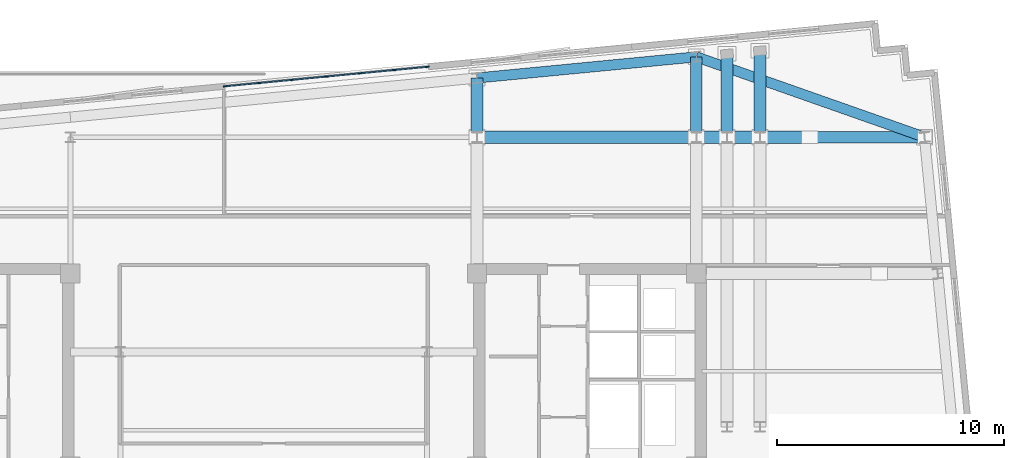
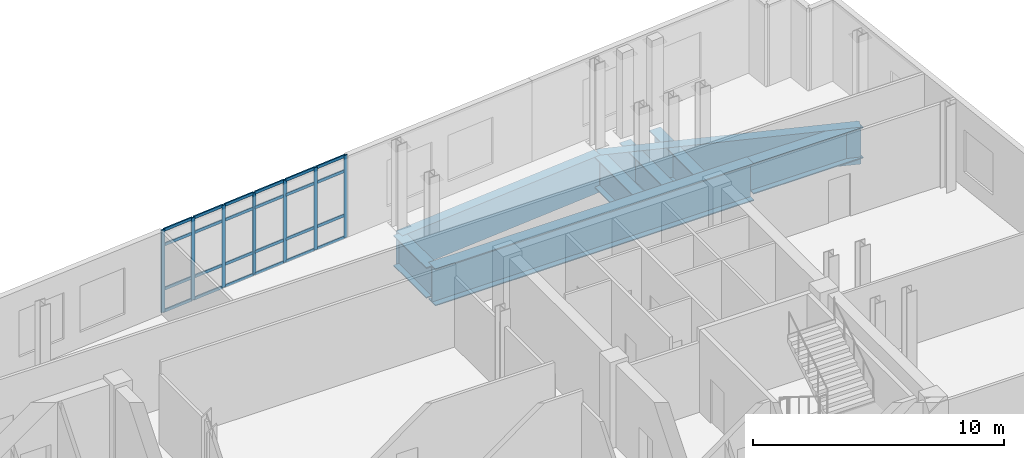
# One storey, part 3 of 11: 31 members, 8 beams, 1 element without a shape of its own.
"""IFC4 building model written with IfcOpenShell, lengths in metres."""

from ifc_helpers import new_model, si_unit, direction, frame, origin, origin_2d, place, context, subcontext, project, spatial, rectangle, i_section, extrude, material, layer, layer_set, material_profile, profile_set, type_object, element, aggregate, save


model = new_model("IFC4")

# Units and contexts
model_context = context("Model", 3, precision=1e-05, world=origin(), true_north=direction((0.0, 1.0)))
body_context = subcontext(model_context, "Body", "Model", "MODEL_VIEW")
ifc_project = project(units=[si_unit("LENGTHUNIT", "METRE"), si_unit("AREAUNIT", "SQUARE_METRE"), si_unit("VOLUMEUNIT", "CUBIC_METRE"), si_unit("PLANEANGLEUNIT", "RADIAN"), si_unit("MASSUNIT", "GRAM", prefix="KILO")], contexts=[model_context])

# Site, building, storey
site_placement = place(None, origin())
site = spatial("IfcSite", under=ifc_project, at=site_placement, CompositionType="ELEMENT")
building_placement = place(site_placement, origin())
building = spatial("IfcBuilding", under=site, at=building_placement, Name="Velakula Bourse", CompositionType="ELEMENT")
storey_placement = place(building_placement, frame((0.0, 0.0, 247.5)))
storey = spatial("IfcBuildingStorey", under=building, at=storey_placement, Name="L67", CompositionType="ELEMENT", Elevation=247.5)

# Curtain wall, members
ifc_material_1 = material(Name="Anodised bronze architectural aluminium", Category="aluminium")
ifc_layer = layer(ifc_material_1, 0.1650390625, Name="Anodised bronze architectural aluminium", Category="aluminium")
ifc_layer_set = layer_set([ifc_layer], Name="Anodised bronze architectural aluminium")
curtain_wall_type = type_object("IfcCurtainWallType", Name="CW-SL1", PredefinedType="NOTDEFINED", material=ifc_layer_set)
curtain_wall_placement = place(storey_placement, origin())
curtain_wall = element("IfcCurtainWall", 1, at=curtain_wall_placement, inside=storey, type_object=curtain_wall_type, Name="L67 Sky-Lobby Feature Curtain Wall", PredefinedType="NOTDEFINED")
ifc_material_profile_1 = material_profile(ifc_material_1, rectangle(XDim=0.06005859375, YDim=0.1650390625, at=origin_2d()), Name="Anodised bronze architectural aluminium")
ifc_profile_set_1 = profile_set([ifc_material_profile_1], Name="Anodised bronze architectural aluminium")
member_type_1 = type_object("IfcMemberType", Name="MUL-CW-SL1", PredefinedType="MULLION", material=ifc_profile_set_1)
member_1_placement = place(storey_placement, frame((-2.131591796875, 16.8408203125, 0.0), z_axis=(0.0, 0.0, 1.0), x_axis=(-0.095844093769, 0.995396358085, 0.0)))
member_1 = element("IfcMember", 2, at=member_1_placement, type_object=member_type_1, Name="CW-SL1 mullion 1", PredefinedType="MULLION", context=body_context, shape_type="SweptSolid", body=[
    extrude(rectangle(XDim=0.06005859375, YDim=0.1650390625, at=origin_2d()), origin(), (0.0, 0.0, 1.0), 4.0),
])
member_2_placement = place(storey_placement, frame((-0.668212890625, 16.981689453125, 0.0), z_axis=(0.0, 0.0, 1.0), x_axis=(-0.095844093769, 0.995396358085, 0.0)))
member_2 = element("IfcMember", 3, at=member_2_placement, type_object=member_type_1, Name="CW-SL1 mullion 2", PredefinedType="MULLION", context=body_context, shape_type="SweptSolid", body=[
    extrude(rectangle(XDim=0.06005859375, YDim=0.1650390625, at=origin_2d()), origin(), (0.0, 0.0, 1.0), 4.0),
])
member_3_placement = place(storey_placement, frame((0.82470703125, 17.12548828125, 0.0), z_axis=(0.0, 0.0, 1.0), x_axis=(-0.095844093769, 0.995396358085, 0.0)))
member_3 = element("IfcMember", 4, at=member_3_placement, type_object=member_type_1, Name="CW-SL1 mullion 3", PredefinedType="MULLION", context=body_context, shape_type="SweptSolid", body=[
    extrude(rectangle(XDim=0.06005859375, YDim=0.1650390625, at=origin_2d()), origin(), (0.0, 0.0, 1.0), 4.0),
])
member_4_placement = place(storey_placement, frame((2.31787109375, 17.269287109375, 0.0), z_axis=(0.0, 0.0, 1.0), x_axis=(-0.095844093769, 0.995396358085, 0.0)))
member_4 = element("IfcMember", 5, at=member_4_placement, type_object=member_type_1, Name="CW-SL1 mullion 4", PredefinedType="MULLION", context=body_context, shape_type="SweptSolid", body=[
    extrude(rectangle(XDim=0.06005859375, YDim=0.1650390625, at=origin_2d()), origin(), (0.0, 0.0, 1.0), 4.0),
])
member_5_placement = place(storey_placement, frame((3.81103515625, 17.4130859375, 0.0), z_axis=(0.0, 0.0, 1.0), x_axis=(-0.095844093769, 0.995396358085, 0.0)))
member_5 = element("IfcMember", 6, at=member_5_placement, type_object=member_type_1, Name="CW-SL1 mullion 5", PredefinedType="MULLION", context=body_context, shape_type="SweptSolid", body=[
    extrude(rectangle(XDim=0.06005859375, YDim=0.1650390625, at=origin_2d()), origin(), (0.0, 0.0, 1.0), 4.0),
])
member_6_placement = place(storey_placement, frame((5.30419921875, 17.556640625, 0.0), z_axis=(0.0, 0.0, 1.0), x_axis=(-0.095844093769, 0.995396358085, 0.0)))
member_6 = element("IfcMember", 7, at=member_6_placement, type_object=member_type_1, Name="CW-SL1 mullion 6", PredefinedType="MULLION", context=body_context, shape_type="SweptSolid", body=[
    extrude(rectangle(XDim=0.06005859375, YDim=0.1650390625, at=origin_2d()), origin(), (0.0, 0.0, 1.0), 4.0),
])
member_7_placement = place(storey_placement, frame((6.767333984375, 17.697509765625, 0.0), z_axis=(0.0, 0.0, 1.0), x_axis=(-0.095844093769, 0.995396358085, 0.0)))
member_7 = element("IfcMember", 8, at=member_7_placement, type_object=member_type_1, Name="CW-SL1 mullion 7", PredefinedType="MULLION", context=body_context, shape_type="SweptSolid", body=[
    extrude(rectangle(XDim=0.06005859375, YDim=0.1650390625, at=origin_2d()), origin(), (0.0, 0.0, 1.0), 4.0),
])

# Beams
ifc_material_2 = material(Name="Concrete M50 (fck 50 MPa)", Category="concrete")
ifc_material_profile_2 = material_profile(ifc_material_2, rectangle(XDim=0.449951171875, YDim=1.800048828125, at=origin_2d()), Name="Concrete M50 (fck 50 MPa)")
ifc_profile_set_2 = profile_set([ifc_material_profile_2], Name="Concrete M50 (fck 50 MPa)")
beam_type_1 = type_object("IfcBeamType", Name="SPN-TRF-1800", PredefinedType="SPANDREL", material=ifc_profile_set_2)
beam_1_placement = place(storey_placement, frame((8.949951171875, 17.20458984375, -1.179931640625), z_axis=(0.99539623971, 0.095845323155, 0.0), x_axis=(-0.095845323155, 0.99539623971, 0.0)))
element("IfcBeam", 9, at=beam_1_placement, inside=storey, type_object=beam_type_1, Name="L67 Brick-Faced Precast Spandrel N3-N4", PredefinedType="SPANDREL", context=body_context, shape_type="SweptSolid", body=[
    extrude(rectangle(XDim=0.449951171875, YDim=1.800048828125, at=origin_2d()), origin(), (0.0, 0.0, 1.0), 9.69482421875),
])
beam_2_placement = place(storey_placement, frame((28.64501953125, 14.60009765625, -1.179931640625), z_axis=(-0.943331000058, 0.331853317491, 0.0), x_axis=(-0.331853317491, -0.943331000058, 0.0)))
element("IfcBeam", 10, at=beam_2_placement, inside=storey, type_object=beam_type_1, Name="L67 Brick-Faced Precast Spandrel E4-N4", PredefinedType="SPANDREL", context=body_context, shape_type="SweptSolid", body=[
    extrude(rectangle(XDim=0.449951171875, YDim=1.800048828125, at=origin_2d()), origin(), (0.0, 0.0, 1.0), 10.6484375),
])
ifc_material_3 = material(Name="Steel IS 2062 Grade 450 (E450)", Category="steel")
ifc_material_profile_3 = material_profile(ifc_material_3, i_section(OverallWidth=0.52001953125, OverallDepth=1.5, WebThickness=0.030029296875, FlangeThickness=0.048095703125, at=origin_2d()), Name="Steel IS 2062 Grade 450 (E450)")
ifc_profile_set_3 = profile_set([ifc_material_profile_3], Name="Steel IS 2062 Grade 450 (E450)")
beam_type_2 = type_object("IfcBeamType", Name="TB-CANT-1500", PredefinedType="BEAM", material=ifc_profile_set_3)
beam_3_placement = place(storey_placement, frame((8.949951171875, 14.60009765625, -1.030029296875), z_axis=(0.0, 1.0, 0.0), x_axis=(-1.0, 0.0, 0.0)))
element("IfcBeam", 11, at=beam_3_placement, inside=storey, type_object=beam_type_2, Name="L67 Primary Cantilever Transfer Chord N3", PredefinedType="BEAM", context=body_context, shape_type="SweptSolid", body=[
    extrude(i_section(OverallWidth=0.52001953125, OverallDepth=1.5, WebThickness=0.030029296875, FlangeThickness=0.048095703125, at=origin_2d()), origin(), (0.0, 0.0, 1.0), 2.6044921875),
])
beam_4_placement = place(storey_placement, frame((18.60009765625, 14.60009765625, -1.030029296875), z_axis=(0.0, 1.0, 0.0), x_axis=(-1.0, 0.0, 0.0)))
element("IfcBeam", 12, at=beam_4_placement, inside=storey, type_object=beam_type_2, Name="L67 Primary Cantilever Transfer Chord N4", PredefinedType="BEAM", context=body_context, shape_type="SweptSolid", body=[
    extrude(i_section(OverallWidth=0.52001953125, OverallDepth=1.5, WebThickness=0.030029296875, FlangeThickness=0.048095703125, at=origin_2d()), origin(), (0.0, 0.0, 1.0), 3.53369140625),
])
beam_5_placement = place(storey_placement, frame((23.60009765625, 14.60009765625, -1.030029296875), z_axis=(1.0, 0.0, 0.0), x_axis=(0.0, 1.0, 0.0)))
element("IfcBeam", 13, at=beam_5_placement, inside=storey, type_object=beam_type_2, Name="L67 Primary Cantilever Transfer Chord E4", PredefinedType="BEAM", context=body_context, shape_type="SweptSolid", body=[
    extrude(i_section(OverallWidth=0.52001953125, OverallDepth=1.5, WebThickness=0.030029296875, FlangeThickness=0.048095703125, at=origin_2d()), origin(), (0.0, 0.0, 1.0), 5.044921875),
])
beam_6_placement = place(storey_placement, frame((19.949951171875, 14.60009765625, -1.030029296875), z_axis=(0.0, 1.0, 0.0), x_axis=(-1.0, 0.0, 0.0)))
element("IfcBeam", 14, at=beam_6_placement, inside=storey, type_object=beam_type_2, Name="L67 Primary Cantilever Transfer Chord P07", PredefinedType="BEAM", context=body_context, shape_type="SweptSolid", body=[
    extrude(i_section(OverallWidth=0.52001953125, OverallDepth=1.5, WebThickness=0.030029296875, FlangeThickness=0.048095703125, at=origin_2d()), origin(), (0.0, 0.0, 1.0), 3.66357421875),
])
beam_7_placement = place(storey_placement, frame((21.39990234375, 14.60009765625, -1.030029296875), z_axis=(0.0, 1.0, 0.0), x_axis=(-1.0, 0.0, 0.0)))
element("IfcBeam", 15, at=beam_7_placement, inside=storey, type_object=beam_type_2, Name="L67 Primary Cantilever Transfer Chord P08", PredefinedType="BEAM", context=body_context, shape_type="SweptSolid", body=[
    extrude(i_section(OverallWidth=0.52001953125, OverallDepth=1.5, WebThickness=0.030029296875, FlangeThickness=0.048095703125, at=origin_2d()), origin(), (0.0, 0.0, 1.0), 3.80322265625),
])
ifc_material_profile_4 = material_profile(ifc_material_3, i_section(OverallWidth=0.550048828125, OverallDepth=1.800048828125, WebThickness=0.031982421875, FlangeThickness=0.048095703125, at=origin_2d()), Name="Steel IS 2062 Grade 450 (E450)")
ifc_profile_set_4 = profile_set([ifc_material_profile_4], Name="Steel IS 2062 Grade 450 (E450)")
beam_type_3 = type_object("IfcBeamType", Name="TB-CANT-1800", PredefinedType="BEAM", material=ifc_profile_set_4)
beam_8_placement = place(storey_placement, frame((8.949951171875, 14.60009765625, -1.179931640625), z_axis=(1.0, 0.0, 0.0), x_axis=(0.0, 1.0, 0.0)))
element("IfcBeam", 16, at=beam_8_placement, inside=storey, type_object=beam_type_3, Name="L67 Collinear Transfer Back-Span Girder E4", PredefinedType="BEAM", context=body_context, shape_type="SweptSolid", body=[
    extrude(i_section(OverallWidth=0.550048828125, OverallDepth=1.800048828125, WebThickness=0.031982421875, FlangeThickness=0.048095703125, at=origin_2d()), origin(), (0.0, 0.0, 1.0), 14.650146484375),
])

# Member
ifc_material_profile_5 = material_profile(ifc_material_1, rectangle(XDim=0.06005859375, YDim=0.139892578125, at=origin_2d()), Name="Anodised bronze architectural aluminium")
ifc_profile_set_5 = profile_set([ifc_material_profile_5], Name="Anodised bronze architectural aluminium")
member_type_2 = type_object("IfcMemberType", Name="TRN-CW-SL1", PredefinedType="USERDEFINED", material=ifc_profile_set_5)
member_8_placement = place(storey_placement, frame((-2.1015625, 16.84375, 0.030029296875), z_axis=(0.995403951146, 0.095765202676, 0.0), x_axis=(-0.095765202676, 0.995403951146, 0.0)))
member_8 = element("IfcMember", 17, at=member_8_placement, type_object=member_type_2, Name="CW-SL1 transom 1.1", ObjectType="TRANSOM", PredefinedType="USERDEFINED", context=body_context, shape_type="SweptSolid", body=[
    extrude(rectangle(XDim=0.06005859375, YDim=0.139892578125, at=origin_2d()), origin(), (0.0, 0.0, 1.0), 1.409912109375),
])

member_9_placement = place(storey_placement, frame((-2.1015625, 16.84375, 1.10009765625), z_axis=(0.995403951146, 0.095765202676, 0.0), x_axis=(-0.095765202676, 0.995403951146, 0.0)))
member_9 = element("IfcMember", 18, at=member_9_placement, type_object=member_type_2, Name="CW-SL1 transom 1.2", ObjectType="TRANSOM", PredefinedType="USERDEFINED", context=body_context, shape_type="SweptSolid", body=[
    extrude(rectangle(XDim=0.06005859375, YDim=0.139892578125, at=origin_2d()), origin(), (0.0, 0.0, 1.0), 1.409912109375),
])

member_10_placement = place(storey_placement, frame((-2.1015625, 16.84375, 3.25), z_axis=(0.995403951146, 0.095765202676, 0.0), x_axis=(-0.095765202676, 0.995403951146, 0.0)))
member_10 = element("IfcMember", 19, at=member_10_placement, type_object=member_type_2, Name="CW-SL1 transom 1.3", ObjectType="TRANSOM", PredefinedType="USERDEFINED", context=body_context, shape_type="SweptSolid", body=[
    extrude(rectangle(XDim=0.06005859375, YDim=0.139892578125, at=origin_2d()), origin(), (0.0, 0.0, 1.0), 1.409912109375),
])

member_11_placement = place(storey_placement, frame((-2.1015625, 16.84375, 3.969970703125), z_axis=(0.995403951146, 0.095765202676, 0.0), x_axis=(-0.095765202676, 0.995403951146, 0.0)))
member_11 = element("IfcMember", 20, at=member_11_placement, type_object=member_type_2, Name="CW-SL1 transom 1.4", ObjectType="TRANSOM", PredefinedType="USERDEFINED", context=body_context, shape_type="SweptSolid", body=[
    extrude(rectangle(XDim=0.06005859375, YDim=0.139892578125, at=origin_2d()), origin(), (0.0, 0.0, 1.0), 1.409912109375),
])

member_12_placement = place(storey_placement, frame((-0.638427734375, 16.984619140625, 0.030029296875), z_axis=(0.99540125991, 0.095793171836, 0.0), x_axis=(-0.095793171836, 0.99540125991, 0.0)))
member_12 = element("IfcMember", 21, at=member_12_placement, type_object=member_type_2, Name="CW-SL1 transom 2.1", ObjectType="TRANSOM", PredefinedType="USERDEFINED", context=body_context, shape_type="SweptSolid", body=[
    extrude(rectangle(XDim=0.06005859375, YDim=0.139892578125, at=origin_2d()), origin(), (0.0, 0.0, 1.0), 1.43994140625),
])

member_13_placement = place(storey_placement, frame((-0.638427734375, 16.984619140625, 1.10009765625), z_axis=(0.99540125991, 0.095793171836, 0.0), x_axis=(-0.095793171836, 0.99540125991, 0.0)))
member_13 = element("IfcMember", 22, at=member_13_placement, type_object=member_type_2, Name="CW-SL1 transom 2.2", ObjectType="TRANSOM", PredefinedType="USERDEFINED", context=body_context, shape_type="SweptSolid", body=[
    extrude(rectangle(XDim=0.06005859375, YDim=0.139892578125, at=origin_2d()), origin(), (0.0, 0.0, 1.0), 1.43994140625),
])

member_14_placement = place(storey_placement, frame((-0.638427734375, 16.984619140625, 3.25), z_axis=(0.99540125991, 0.095793171836, 0.0), x_axis=(-0.095793171836, 0.99540125991, 0.0)))
member_14 = element("IfcMember", 23, at=member_14_placement, type_object=member_type_2, Name="CW-SL1 transom 2.3", ObjectType="TRANSOM", PredefinedType="USERDEFINED", context=body_context, shape_type="SweptSolid", body=[
    extrude(rectangle(XDim=0.06005859375, YDim=0.139892578125, at=origin_2d()), origin(), (0.0, 0.0, 1.0), 1.43994140625),
])

member_15_placement = place(storey_placement, frame((-0.638427734375, 16.984619140625, 3.969970703125), z_axis=(0.99540125991, 0.095793171836, 0.0), x_axis=(-0.095793171836, 0.99540125991, 0.0)))
member_15 = element("IfcMember", 24, at=member_15_placement, type_object=member_type_2, Name="CW-SL1 transom 2.4", ObjectType="TRANSOM", PredefinedType="USERDEFINED", context=body_context, shape_type="SweptSolid", body=[
    extrude(rectangle(XDim=0.06005859375, YDim=0.139892578125, at=origin_2d()), origin(), (0.0, 0.0, 1.0), 1.43994140625),
])

member_16_placement = place(storey_placement, frame((0.854736328125, 17.12841796875, 0.030029296875), z_axis=(0.99540125991, 0.095793171836, 0.0), x_axis=(-0.095793171836, 0.99540125991, 0.0)))
member_16 = element("IfcMember", 25, at=member_16_placement, type_object=member_type_2, Name="CW-SL1 transom 3.1", ObjectType="TRANSOM", PredefinedType="USERDEFINED", context=body_context, shape_type="SweptSolid", body=[
    extrude(rectangle(XDim=0.06005859375, YDim=0.139892578125, at=origin_2d()), origin(), (0.0, 0.0, 1.0), 1.43994140625),
])

member_17_placement = place(storey_placement, frame((0.854736328125, 17.12841796875, 1.10009765625), z_axis=(0.99540125991, 0.095793171836, 0.0), x_axis=(-0.095793171836, 0.99540125991, 0.0)))
member_17 = element("IfcMember", 26, at=member_17_placement, type_object=member_type_2, Name="CW-SL1 transom 3.2", ObjectType="TRANSOM", PredefinedType="USERDEFINED", context=body_context, shape_type="SweptSolid", body=[
    extrude(rectangle(XDim=0.06005859375, YDim=0.139892578125, at=origin_2d()), origin(), (0.0, 0.0, 1.0), 1.43994140625),
])

member_18_placement = place(storey_placement, frame((0.854736328125, 17.12841796875, 3.25), z_axis=(0.99540125991, 0.095793171836, 0.0), x_axis=(-0.095793171836, 0.99540125991, 0.0)))
member_18 = element("IfcMember", 27, at=member_18_placement, type_object=member_type_2, Name="CW-SL1 transom 3.3", ObjectType="TRANSOM", PredefinedType="USERDEFINED", context=body_context, shape_type="SweptSolid", body=[
    extrude(rectangle(XDim=0.06005859375, YDim=0.139892578125, at=origin_2d()), origin(), (0.0, 0.0, 1.0), 1.43994140625),
])

member_19_placement = place(storey_placement, frame((0.854736328125, 17.12841796875, 3.969970703125), z_axis=(0.99540125991, 0.095793171836, 0.0), x_axis=(-0.095793171836, 0.99540125991, 0.0)))
member_19 = element("IfcMember", 28, at=member_19_placement, type_object=member_type_2, Name="CW-SL1 transom 3.4", ObjectType="TRANSOM", PredefinedType="USERDEFINED", context=body_context, shape_type="SweptSolid", body=[
    extrude(rectangle(XDim=0.06005859375, YDim=0.139892578125, at=origin_2d()), origin(), (0.0, 0.0, 1.0), 1.43994140625),
])

member_20_placement = place(storey_placement, frame((2.34765625, 17.27197265625, 0.030029296875), z_axis=(0.995386640238, 0.095944965663, 0.0), x_axis=(-0.095944965663, 0.995386640238, 0.0)))
member_20 = element("IfcMember", 29, at=member_20_placement, type_object=member_type_2, Name="CW-SL1 transom 4.1", ObjectType="TRANSOM", PredefinedType="USERDEFINED", context=body_context, shape_type="SweptSolid", body=[
    extrude(rectangle(XDim=0.06005859375, YDim=0.139892578125, at=origin_2d()), origin(), (0.0, 0.0, 1.0), 1.440185546875),
])

member_21_placement = place(storey_placement, frame((2.34765625, 17.27197265625, 1.10009765625), z_axis=(0.995386640238, 0.095944965663, 0.0), x_axis=(-0.095944965663, 0.995386640238, 0.0)))
member_21 = element("IfcMember", 30, at=member_21_placement, type_object=member_type_2, Name="CW-SL1 transom 4.2", ObjectType="TRANSOM", PredefinedType="USERDEFINED", context=body_context, shape_type="SweptSolid", body=[
    extrude(rectangle(XDim=0.06005859375, YDim=0.139892578125, at=origin_2d()), origin(), (0.0, 0.0, 1.0), 1.440185546875),
])

member_22_placement = place(storey_placement, frame((2.34765625, 17.27197265625, 3.25), z_axis=(0.995386640238, 0.095944965663, 0.0), x_axis=(-0.095944965663, 0.995386640238, 0.0)))
member_22 = element("IfcMember", 31, at=member_22_placement, type_object=member_type_2, Name="CW-SL1 transom 4.3", ObjectType="TRANSOM", PredefinedType="USERDEFINED", context=body_context, shape_type="SweptSolid", body=[
    extrude(rectangle(XDim=0.06005859375, YDim=0.139892578125, at=origin_2d()), origin(), (0.0, 0.0, 1.0), 1.440185546875),
])

member_23_placement = place(storey_placement, frame((2.34765625, 17.27197265625, 3.969970703125), z_axis=(0.995386640238, 0.095944965663, 0.0), x_axis=(-0.095944965663, 0.995386640238, 0.0)))
member_23 = element("IfcMember", 32, at=member_23_placement, type_object=member_type_2, Name="CW-SL1 transom 4.4", ObjectType="TRANSOM", PredefinedType="USERDEFINED", context=body_context, shape_type="SweptSolid", body=[
    extrude(rectangle(XDim=0.06005859375, YDim=0.139892578125, at=origin_2d()), origin(), (0.0, 0.0, 1.0), 1.440185546875),
])

member_24_placement = place(storey_placement, frame((3.8408203125, 17.415771484375, 0.030029296875), z_axis=(0.995385079392, 0.095961157373, 0.0), x_axis=(-0.095961157373, 0.995385079392, 0.0)))
member_24 = element("IfcMember", 33, at=member_24_placement, type_object=member_type_2, Name="CW-SL1 transom 5.1", ObjectType="TRANSOM", PredefinedType="USERDEFINED", context=body_context, shape_type="SweptSolid", body=[
    extrude(rectangle(XDim=0.06005859375, YDim=0.139892578125, at=origin_2d()), origin(), (0.0, 0.0, 1.0), 1.43994140625),
])

member_25_placement = place(storey_placement, frame((3.8408203125, 17.415771484375, 1.10009765625), z_axis=(0.995385079392, 0.095961157373, 0.0), x_axis=(-0.095961157373, 0.995385079392, 0.0)))
member_25 = element("IfcMember", 34, at=member_25_placement, type_object=member_type_2, Name="CW-SL1 transom 5.2", ObjectType="TRANSOM", PredefinedType="USERDEFINED", context=body_context, shape_type="SweptSolid", body=[
    extrude(rectangle(XDim=0.06005859375, YDim=0.139892578125, at=origin_2d()), origin(), (0.0, 0.0, 1.0), 1.43994140625),
])

member_26_placement = place(storey_placement, frame((3.8408203125, 17.415771484375, 3.25), z_axis=(0.995385079392, 0.095961157373, 0.0), x_axis=(-0.095961157373, 0.995385079392, 0.0)))
member_26 = element("IfcMember", 35, at=member_26_placement, type_object=member_type_2, Name="CW-SL1 transom 5.3", ObjectType="TRANSOM", PredefinedType="USERDEFINED", context=body_context, shape_type="SweptSolid", body=[
    extrude(rectangle(XDim=0.06005859375, YDim=0.139892578125, at=origin_2d()), origin(), (0.0, 0.0, 1.0), 1.43994140625),
])

member_27_placement = place(storey_placement, frame((3.8408203125, 17.415771484375, 3.969970703125), z_axis=(0.995385079392, 0.095961157373, 0.0), x_axis=(-0.095961157373, 0.995385079392, 0.0)))
member_27 = element("IfcMember", 36, at=member_27_placement, type_object=member_type_2, Name="CW-SL1 transom 5.4", ObjectType="TRANSOM", PredefinedType="USERDEFINED", context=body_context, shape_type="SweptSolid", body=[
    extrude(rectangle(XDim=0.06005859375, YDim=0.139892578125, at=origin_2d()), origin(), (0.0, 0.0, 1.0), 1.43994140625),
])

member_28_placement = place(storey_placement, frame((5.333984375, 17.5595703125, 0.030029296875), z_axis=(0.995389022244, 0.095920250187, 0.0), x_axis=(-0.095920250187, 0.995389022244, 0.0)))
member_28 = element("IfcMember", 37, at=member_28_placement, type_object=member_type_2, Name="CW-SL1 transom 6.1", ObjectType="TRANSOM", PredefinedType="USERDEFINED", context=body_context, shape_type="SweptSolid", body=[
    extrude(rectangle(XDim=0.06005859375, YDim=0.139892578125, at=origin_2d()), origin(), (0.0, 0.0, 1.0), 1.41015625),
])

member_29_placement = place(storey_placement, frame((5.333984375, 17.5595703125, 1.10009765625), z_axis=(0.995389022244, 0.095920250187, 0.0), x_axis=(-0.095920250187, 0.995389022244, 0.0)))
member_29 = element("IfcMember", 38, at=member_29_placement, type_object=member_type_2, Name="CW-SL1 transom 6.2", ObjectType="TRANSOM", PredefinedType="USERDEFINED", context=body_context, shape_type="SweptSolid", body=[
    extrude(rectangle(XDim=0.06005859375, YDim=0.139892578125, at=origin_2d()), origin(), (0.0, 0.0, 1.0), 1.41015625),
])

member_30_placement = place(storey_placement, frame((5.333984375, 17.5595703125, 3.25), z_axis=(0.995389022244, 0.095920250187, 0.0), x_axis=(-0.095920250187, 0.995389022244, 0.0)))
member_30 = element("IfcMember", 39, at=member_30_placement, type_object=member_type_2, Name="CW-SL1 transom 6.3", ObjectType="TRANSOM", PredefinedType="USERDEFINED", context=body_context, shape_type="SweptSolid", body=[
    extrude(rectangle(XDim=0.06005859375, YDim=0.139892578125, at=origin_2d()), origin(), (0.0, 0.0, 1.0), 1.41015625),
])

member_31_placement = place(storey_placement, frame((5.333984375, 17.5595703125, 3.969970703125), z_axis=(0.995389022244, 0.095920250187, 0.0), x_axis=(-0.095920250187, 0.995389022244, 0.0)))
member_31 = element("IfcMember", 40, at=member_31_placement, type_object=member_type_2, Name="CW-SL1 transom 6.4", ObjectType="TRANSOM", PredefinedType="USERDEFINED", context=body_context, shape_type="SweptSolid", body=[
    extrude(rectangle(XDim=0.06005859375, YDim=0.139892578125, at=origin_2d()), origin(), (0.0, 0.0, 1.0), 1.41015625),
])

aggregate(curtain_wall, [member_1, member_2, member_3, member_4, member_5, member_6, member_7, member_8, member_9, member_10, member_11, member_12, member_13, member_14, member_15, member_16, member_17, member_18, member_19, member_20, member_21, member_22, member_23, member_24, member_25, member_26, member_27, member_28, member_29, member_30, member_31])

save(model, "model.ifc")
